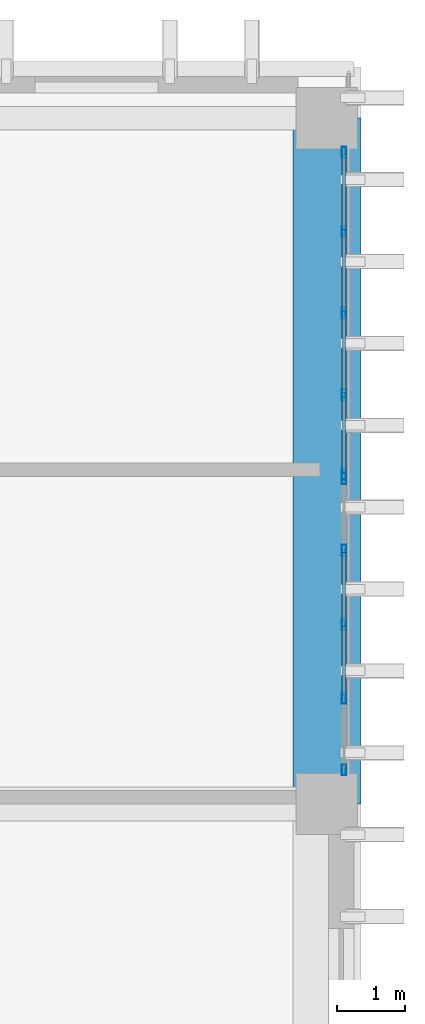
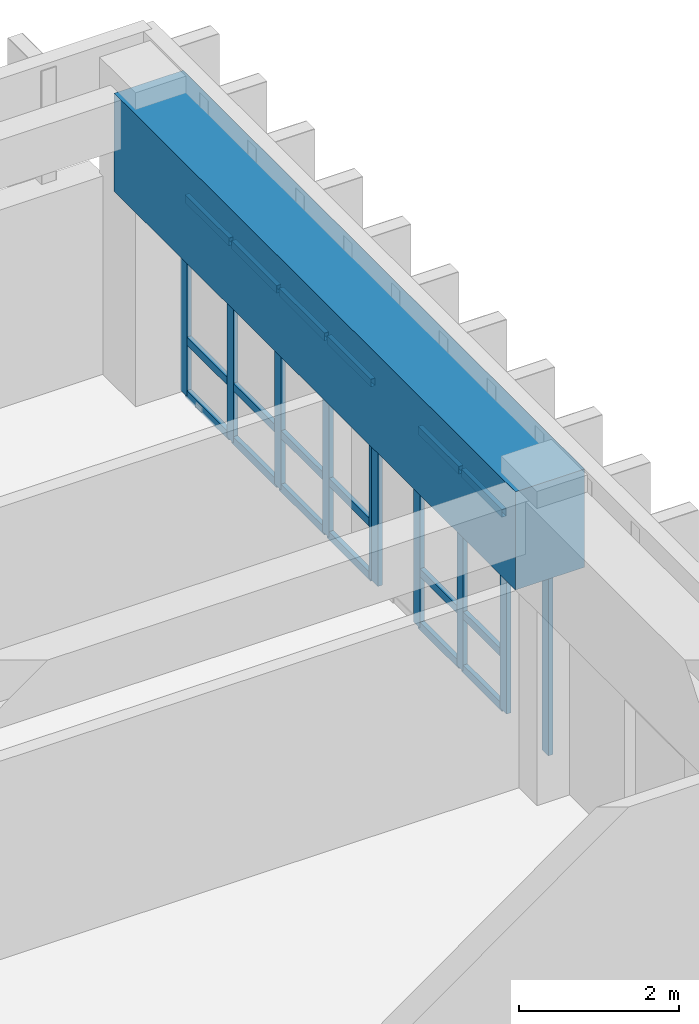
# One storey, part 60 of 101: 28 members, 1 beam, 2 elements without a shape of their own.
"""IFC4 building model written with IfcOpenShell, lengths in metres."""

from ifc_helpers import new_model, si_unit, direction, frame, origin, origin_2d, place, context, subcontext, project, spatial, rectangle, hollow_rectangle, extrude, material, layer, layer_set, material_profile, profile_set, type_object, element, aggregate, save


model = new_model("IFC4")

# Units and contexts
model_context = context("Model", 3, precision=1e-05, world=origin(), true_north=direction((0.0, 1.0)))
body_context = subcontext(model_context, "Body", "Model", "MODEL_VIEW")
ifc_project = project(units=[si_unit("LENGTHUNIT", "METRE"), si_unit("AREAUNIT", "SQUARE_METRE"), si_unit("VOLUMEUNIT", "CUBIC_METRE"), si_unit("PLANEANGLEUNIT", "RADIAN"), si_unit("MASSUNIT", "GRAM", prefix="KILO")], contexts=[model_context])

# Site, building, storey
site_placement = place(None, origin())
site = spatial("IfcSite", under=ifc_project, at=site_placement, CompositionType="ELEMENT")
building_placement = place(site_placement, origin())
building = spatial("IfcBuilding", under=site, at=building_placement, Name="Nakhvara Creek Congress Hotel", CompositionType="ELEMENT")
storey_placement = place(building_placement, frame((0.0, 0.0, 16.199951171875)))
storey = spatial("IfcBuildingStorey", under=building, at=storey_placement, Name="L03", CompositionType="ELEMENT", Elevation=16.199951171875)

# Beam
ifc_material_1 = material(Name="Concrete C50/60", Category="concrete")
ifc_material_profile_1 = material_profile(ifc_material_1, rectangle(XDim=1.0, YDim=1.5, at=origin_2d()), Name="RC-TG 1000x1500", Category="LoadBearing")
ifc_profile_set_1 = profile_set([ifc_material_profile_1], Name="Concrete C50/60")
beam_type = type_object("IfcBeamType", Name="BM-TG2-1500", PredefinedType="BEAM", material=ifc_profile_set_1)
beam_placement = place(storey_placement, frame((179.35009765625, 115.199951171875, 3.7900390625), z_axis=(0.0, 1.0, 0.0), x_axis=(-1.0, 0.0, 0.0)))
element("IfcBeam", 1, at=beam_placement, inside=storey, type_object=beam_type, Name="Transfer Girder TG2-L03-1908", PredefinedType="BEAM", context=body_context, shape_type="SweptSolid", body=[
    extrude(rectangle(XDim=1.0, YDim=1.5, at=origin_2d()), origin(), (0.0, 0.0, 1.0), 10.050048828125),
])

# Curtain wall, members
ifc_material_2 = material(Name="Bronze-anodised aluminium AW-6063-T6 and double-silver low-E glass", Category="aluminium")
ifc_layer = layer(ifc_material_2, 0.199951171875)
ifc_layer_set = layer_set([ifc_layer], Name="Bronze-anodised aluminium AW-6063-T6 and double-silver low-E glass")
curtain_wall_type = type_object("IfcCurtainWallType", Name="CW-HTL-UNIT", PredefinedType="USERDEFINED", material=ifc_layer_set)
curtain_wall_1_placement = place(storey_placement, origin())
curtain_wall_1 = element("IfcCurtainWall", 2, at=curtain_wall_1_placement, inside=storey, type_object=curtain_wall_type, Name="Curtain Wall CW169", ObjectType="UNITISED", PredefinedType="USERDEFINED")
ifc_material_3 = material(Name="Bronze-anodised aluminium AW-6063-T6", Category="aluminium")
ifc_material_profile_2 = material_profile(ifc_material_3, hollow_rectangle(XDim=0.06494140625, YDim=0.159912109375, WallThickness=0.00390625, at=origin_2d()), Name="ALU-MULL 65x160x4", Category="LoadBearing")
ifc_profile_set_2 = profile_set([ifc_material_profile_2], Name="Bronze-anodised aluminium AW-6063-T6")
member_type_1 = type_object("IfcMemberType", Name="CW-MULL-160", PredefinedType="MULLION", material=ifc_profile_set_2)
member_1_placement = place(storey_placement, frame((179.60009765625, 119.967529296875, 0.0), z_axis=(0.0, 0.0, 1.0), x_axis=(1.0, 0.0, 0.0)))
member_1 = element("IfcMember", 3, at=member_1_placement, type_object=member_type_1, Name="CW169 mullion 1", PredefinedType="MULLION", context=body_context, shape_type="SweptSolid", body=[
    extrude(hollow_rectangle(XDim=0.06494140625, YDim=0.159912109375, WallThickness=0.00390625, at=origin_2d()), origin(), (0.0, 0.0, 1.0), 3.031982421875),
])
member_2_placement = place(storey_placement, frame((179.60009765625, 118.916259765625, 0.0), z_axis=(0.0, 0.0, 1.0), x_axis=(1.0, 0.0, 0.0)))
member_2 = element("IfcMember", 4, at=member_2_placement, type_object=member_type_1, Name="CW169 mullion 2", PredefinedType="MULLION", context=body_context, shape_type="SweptSolid", body=[
    extrude(hollow_rectangle(XDim=0.06494140625, YDim=0.159912109375, WallThickness=0.00390625, at=origin_2d()), origin(), (0.0, 0.0, 1.0), 3.031982421875),
])
member_3_placement = place(storey_placement, frame((179.60009765625, 117.83251953125, 0.0), z_axis=(0.0, 0.0, 1.0), x_axis=(1.0, 0.0, 0.0)))
member_3 = element("IfcMember", 5, at=member_3_placement, type_object=member_type_1, Name="CW169 mullion 3", PredefinedType="MULLION", context=body_context, shape_type="SweptSolid", body=[
    extrude(hollow_rectangle(XDim=0.06494140625, YDim=0.159912109375, WallThickness=0.00390625, at=origin_2d()), origin(), (0.0, 0.0, 1.0), 3.031982421875),
])
member_4_placement = place(storey_placement, frame((179.60009765625, 116.748779296875, 0.0), z_axis=(0.0, 0.0, 1.0), x_axis=(1.0, 0.0, 0.0)))
member_4 = element("IfcMember", 6, at=member_4_placement, type_object=member_type_1, Name="CW169 mullion 4", PredefinedType="MULLION", context=body_context, shape_type="SweptSolid", body=[
    extrude(hollow_rectangle(XDim=0.06494140625, YDim=0.159912109375, WallThickness=0.00390625, at=origin_2d()), origin(), (0.0, 0.0, 1.0), 3.031982421875),
])
member_5_placement = place(storey_placement, frame((179.60009765625, 115.697509765625, 0.0), z_axis=(0.0, 0.0, 1.0), x_axis=(1.0, 0.0, 0.0)))
member_5 = element("IfcMember", 7, at=member_5_placement, type_object=member_type_1, Name="CW169 mullion 5", PredefinedType="MULLION", context=body_context, shape_type="SweptSolid", body=[
    extrude(hollow_rectangle(XDim=0.06494140625, YDim=0.159912109375, WallThickness=0.00390625, at=origin_2d()), origin(), (0.0, 0.0, 1.0), 3.031982421875),
])

curtain_wall_2_placement = place(storey_placement, origin())
curtain_wall_2 = element("IfcCurtainWall", 8, at=curtain_wall_2_placement, inside=storey, type_object=curtain_wall_type, Name="Curtain Wall CW171", ObjectType="UNITISED", PredefinedType="USERDEFINED")
member_6_placement = place(storey_placement, frame((179.60009765625, 124.75244140625, 0.0), z_axis=(0.0, 0.0, 1.0), x_axis=(1.0, 0.0, 0.0)))
member_6 = element("IfcMember", 9, at=member_6_placement, type_object=member_type_1, Name="CW171 mullion 1", PredefinedType="MULLION", context=body_context, shape_type="SweptSolid", body=[
    extrude(hollow_rectangle(XDim=0.06494140625, YDim=0.159912109375, WallThickness=0.00390625, at=origin_2d()), origin(), (0.0, 0.0, 1.0), 3.031982421875),
])
member_7_placement = place(storey_placement, frame((179.60009765625, 123.5888671875, 0.0), z_axis=(0.0, 0.0, 1.0), x_axis=(1.0, 0.0, 0.0)))
member_7 = element("IfcMember", 10, at=member_7_placement, type_object=member_type_1, Name="CW171 mullion 2", PredefinedType="MULLION", context=body_context, shape_type="SweptSolid", body=[
    extrude(hollow_rectangle(XDim=0.06494140625, YDim=0.159912109375, WallThickness=0.00390625, at=origin_2d()), origin(), (0.0, 0.0, 1.0), 3.031982421875),
])
member_8_placement = place(storey_placement, frame((179.60009765625, 122.392578125, 0.0), z_axis=(0.0, 0.0, 1.0), x_axis=(1.0, 0.0, 0.0)))
member_8 = element("IfcMember", 11, at=member_8_placement, type_object=member_type_1, Name="CW171 mullion 3", PredefinedType="MULLION", context=body_context, shape_type="SweptSolid", body=[
    extrude(hollow_rectangle(XDim=0.06494140625, YDim=0.159912109375, WallThickness=0.00390625, at=origin_2d()), origin(), (0.0, 0.0, 1.0), 3.031982421875),
])
member_9_placement = place(storey_placement, frame((179.60009765625, 121.1962890625, 0.0), z_axis=(0.0, 0.0, 1.0), x_axis=(1.0, 0.0, 0.0)))
member_9 = element("IfcMember", 12, at=member_9_placement, type_object=member_type_1, Name="CW171 mullion 4", PredefinedType="MULLION", context=body_context, shape_type="SweptSolid", body=[
    extrude(hollow_rectangle(XDim=0.06494140625, YDim=0.159912109375, WallThickness=0.00390625, at=origin_2d()), origin(), (0.0, 0.0, 1.0), 3.031982421875),
])
member_10_placement = place(storey_placement, frame((179.60009765625, 120.032470703125, 0.0), z_axis=(0.0, 0.0, 1.0), x_axis=(1.0, 0.0, 0.0)))
member_10 = element("IfcMember", 13, at=member_10_placement, type_object=member_type_1, Name="CW171 mullion 5", PredefinedType="MULLION", context=body_context, shape_type="SweptSolid", body=[
    extrude(hollow_rectangle(XDim=0.06494140625, YDim=0.159912109375, WallThickness=0.00390625, at=origin_2d()), origin(), (0.0, 0.0, 1.0), 3.031982421875),
])

# Member
ifc_material_profile_3 = material_profile(ifc_material_3, hollow_rectangle(XDim=0.06494140625, YDim=0.1201171875, WallThickness=0.00390625, at=origin_2d()), Name="ALU-TRAN 65x120x4", Category="LoadBearing")
ifc_profile_set_3 = profile_set([ifc_material_profile_3], Name="Bronze-anodised aluminium AW-6063-T6")
member_type_2 = type_object("IfcMemberType", Name="CW-TRAN-120", PredefinedType="USERDEFINED", material=ifc_profile_set_3)
member_11_placement = place(storey_placement, frame((179.60009765625, 118.8837890625, 0.032470703125), z_axis=(0.0, -1.0, 0.0), x_axis=(1.0, 0.0, 0.0)))
member_11 = element("IfcMember", 14, at=member_11_placement, type_object=member_type_2, Name="CW169 transom 2.1", ObjectType="TRANSOM", PredefinedType="USERDEFINED", context=body_context, shape_type="SweptSolid", body=[
    extrude(hollow_rectangle(XDim=0.06494140625, YDim=0.1201171875, WallThickness=0.00390625, at=origin_2d()), origin(), (0.0, 0.0, 1.0), 1.018798828125),
])

member_12_placement = place(storey_placement, frame((179.60009765625, 118.8837890625, 0.85009765625), z_axis=(0.0, -1.0, 0.0), x_axis=(1.0, 0.0, 0.0)))
member_12 = element("IfcMember", 15, at=member_12_placement, type_object=member_type_2, Name="CW169 transom 2.2", ObjectType="TRANSOM", PredefinedType="USERDEFINED", context=body_context, shape_type="SweptSolid", body=[
    extrude(hollow_rectangle(XDim=0.06494140625, YDim=0.1201171875, WallThickness=0.00390625, at=origin_2d()), origin(), (0.0, 0.0, 1.0), 1.018798828125),
])

member_13_placement = place(storey_placement, frame((179.60009765625, 118.8837890625, 2.99951171875), z_axis=(0.0, -1.0, 0.0), x_axis=(1.0, 0.0, 0.0)))
member_13 = element("IfcMember", 16, at=member_13_placement, type_object=member_type_2, Name="CW169 transom 2.3", ObjectType="TRANSOM", PredefinedType="USERDEFINED", context=body_context, shape_type="SweptSolid", body=[
    extrude(hollow_rectangle(XDim=0.06494140625, YDim=0.1201171875, WallThickness=0.00390625, at=origin_2d()), origin(), (0.0, 0.0, 1.0), 1.018798828125),
])

member_14_placement = place(storey_placement, frame((179.60009765625, 117.800048828125, 0.032470703125), z_axis=(0.0, -1.0, 0.0), x_axis=(1.0, 0.0, 0.0)))
member_14 = element("IfcMember", 17, at=member_14_placement, type_object=member_type_2, Name="CW169 transom 3.1", ObjectType="TRANSOM", PredefinedType="USERDEFINED", context=body_context, shape_type="SweptSolid", body=[
    extrude(hollow_rectangle(XDim=0.06494140625, YDim=0.1201171875, WallThickness=0.00390625, at=origin_2d()), origin(), (0.0, 0.0, 1.0), 1.018798828125),
])

member_15_placement = place(storey_placement, frame((179.60009765625, 117.800048828125, 0.85009765625), z_axis=(0.0, -1.0, 0.0), x_axis=(1.0, 0.0, 0.0)))
member_15 = element("IfcMember", 18, at=member_15_placement, type_object=member_type_2, Name="CW169 transom 3.2", ObjectType="TRANSOM", PredefinedType="USERDEFINED", context=body_context, shape_type="SweptSolid", body=[
    extrude(hollow_rectangle(XDim=0.06494140625, YDim=0.1201171875, WallThickness=0.00390625, at=origin_2d()), origin(), (0.0, 0.0, 1.0), 1.018798828125),
])

member_16_placement = place(storey_placement, frame((179.60009765625, 117.800048828125, 2.99951171875), z_axis=(0.0, -1.0, 0.0), x_axis=(1.0, 0.0, 0.0)))
member_16 = element("IfcMember", 19, at=member_16_placement, type_object=member_type_2, Name="CW169 transom 3.3", ObjectType="TRANSOM", PredefinedType="USERDEFINED", context=body_context, shape_type="SweptSolid", body=[
    extrude(hollow_rectangle(XDim=0.06494140625, YDim=0.1201171875, WallThickness=0.00390625, at=origin_2d()), origin(), (0.0, 0.0, 1.0), 1.018798828125),
])

aggregate(curtain_wall_1, [member_1, member_2, member_3, member_4, member_5, member_11, member_12, member_13, member_14, member_15, member_16])

member_17_placement = place(storey_placement, frame((179.60009765625, 124.719970703125, 0.032470703125), z_axis=(0.0, -1.0, 0.0), x_axis=(1.0, 0.0, 0.0)))
member_17 = element("IfcMember", 20, at=member_17_placement, type_object=member_type_2, Name="CW171 transom 1.1", ObjectType="TRANSOM", PredefinedType="USERDEFINED", context=body_context, shape_type="SweptSolid", body=[
    extrude(hollow_rectangle(XDim=0.06494140625, YDim=0.1201171875, WallThickness=0.00390625, at=origin_2d()), origin(), (0.0, 0.0, 1.0), 1.0986328125),
])

member_18_placement = place(storey_placement, frame((179.60009765625, 124.719970703125, 0.85009765625), z_axis=(0.0, -1.0, 0.0), x_axis=(1.0, 0.0, 0.0)))
member_18 = element("IfcMember", 21, at=member_18_placement, type_object=member_type_2, Name="CW171 transom 1.2", ObjectType="TRANSOM", PredefinedType="USERDEFINED", context=body_context, shape_type="SweptSolid", body=[
    extrude(hollow_rectangle(XDim=0.06494140625, YDim=0.1201171875, WallThickness=0.00390625, at=origin_2d()), origin(), (0.0, 0.0, 1.0), 1.0986328125),
])

member_19_placement = place(storey_placement, frame((179.60009765625, 124.719970703125, 2.99951171875), z_axis=(0.0, -1.0, 0.0), x_axis=(1.0, 0.0, 0.0)))
member_19 = element("IfcMember", 22, at=member_19_placement, type_object=member_type_2, Name="CW171 transom 1.3", ObjectType="TRANSOM", PredefinedType="USERDEFINED", context=body_context, shape_type="SweptSolid", body=[
    extrude(hollow_rectangle(XDim=0.06494140625, YDim=0.1201171875, WallThickness=0.00390625, at=origin_2d()), origin(), (0.0, 0.0, 1.0), 1.0986328125),
])

member_20_placement = place(storey_placement, frame((179.60009765625, 123.55615234375, 0.032470703125), z_axis=(0.0, -1.0, 0.0), x_axis=(1.0, 0.0, 0.0)))
member_20 = element("IfcMember", 23, at=member_20_placement, type_object=member_type_2, Name="CW171 transom 2.1", ObjectType="TRANSOM", PredefinedType="USERDEFINED", context=body_context, shape_type="SweptSolid", body=[
    extrude(hollow_rectangle(XDim=0.06494140625, YDim=0.1201171875, WallThickness=0.00390625, at=origin_2d()), origin(), (0.0, 0.0, 1.0), 1.131103515625),
])

member_21_placement = place(storey_placement, frame((179.60009765625, 123.55615234375, 0.85009765625), z_axis=(0.0, -1.0, 0.0), x_axis=(1.0, 0.0, 0.0)))
member_21 = element("IfcMember", 24, at=member_21_placement, type_object=member_type_2, Name="CW171 transom 2.2", ObjectType="TRANSOM", PredefinedType="USERDEFINED", context=body_context, shape_type="SweptSolid", body=[
    extrude(hollow_rectangle(XDim=0.06494140625, YDim=0.1201171875, WallThickness=0.00390625, at=origin_2d()), origin(), (0.0, 0.0, 1.0), 1.131103515625),
])

member_22_placement = place(storey_placement, frame((179.60009765625, 123.55615234375, 2.99951171875), z_axis=(0.0, -1.0, 0.0), x_axis=(1.0, 0.0, 0.0)))
member_22 = element("IfcMember", 25, at=member_22_placement, type_object=member_type_2, Name="CW171 transom 2.3", ObjectType="TRANSOM", PredefinedType="USERDEFINED", context=body_context, shape_type="SweptSolid", body=[
    extrude(hollow_rectangle(XDim=0.06494140625, YDim=0.1201171875, WallThickness=0.00390625, at=origin_2d()), origin(), (0.0, 0.0, 1.0), 1.131103515625),
])

member_23_placement = place(storey_placement, frame((179.60009765625, 122.360107421875, 0.032470703125), z_axis=(0.0, -1.0, 0.0), x_axis=(1.0, 0.0, 0.0)))
member_23 = element("IfcMember", 26, at=member_23_placement, type_object=member_type_2, Name="CW171 transom 3.1", ObjectType="TRANSOM", PredefinedType="USERDEFINED", context=body_context, shape_type="SweptSolid", body=[
    extrude(hollow_rectangle(XDim=0.06494140625, YDim=0.1201171875, WallThickness=0.00390625, at=origin_2d()), origin(), (0.0, 0.0, 1.0), 1.13134765625),
])

member_24_placement = place(storey_placement, frame((179.60009765625, 122.360107421875, 0.85009765625), z_axis=(0.0, -1.0, 0.0), x_axis=(1.0, 0.0, 0.0)))
member_24 = element("IfcMember", 27, at=member_24_placement, type_object=member_type_2, Name="CW171 transom 3.2", ObjectType="TRANSOM", PredefinedType="USERDEFINED", context=body_context, shape_type="SweptSolid", body=[
    extrude(hollow_rectangle(XDim=0.06494140625, YDim=0.1201171875, WallThickness=0.00390625, at=origin_2d()), origin(), (0.0, 0.0, 1.0), 1.13134765625),
])

member_25_placement = place(storey_placement, frame((179.60009765625, 122.360107421875, 2.99951171875), z_axis=(0.0, -1.0, 0.0), x_axis=(1.0, 0.0, 0.0)))
member_25 = element("IfcMember", 28, at=member_25_placement, type_object=member_type_2, Name="CW171 transom 3.3", ObjectType="TRANSOM", PredefinedType="USERDEFINED", context=body_context, shape_type="SweptSolid", body=[
    extrude(hollow_rectangle(XDim=0.06494140625, YDim=0.1201171875, WallThickness=0.00390625, at=origin_2d()), origin(), (0.0, 0.0, 1.0), 1.13134765625),
])

member_26_placement = place(storey_placement, frame((179.60009765625, 121.163818359375, 0.032470703125), z_axis=(0.0, -1.0, 0.0), x_axis=(1.0, 0.0, 0.0)))
member_26 = element("IfcMember", 29, at=member_26_placement, type_object=member_type_2, Name="CW171 transom 4.1", ObjectType="TRANSOM", PredefinedType="USERDEFINED", context=body_context, shape_type="SweptSolid", body=[
    extrude(hollow_rectangle(XDim=0.06494140625, YDim=0.1201171875, WallThickness=0.00390625, at=origin_2d()), origin(), (0.0, 0.0, 1.0), 1.098876953125),
])

member_27_placement = place(storey_placement, frame((179.60009765625, 121.163818359375, 0.85009765625), z_axis=(0.0, -1.0, 0.0), x_axis=(1.0, 0.0, 0.0)))
member_27 = element("IfcMember", 30, at=member_27_placement, type_object=member_type_2, Name="CW171 transom 4.2", ObjectType="TRANSOM", PredefinedType="USERDEFINED", context=body_context, shape_type="SweptSolid", body=[
    extrude(hollow_rectangle(XDim=0.06494140625, YDim=0.1201171875, WallThickness=0.00390625, at=origin_2d()), origin(), (0.0, 0.0, 1.0), 1.098876953125),
])

member_28_placement = place(storey_placement, frame((179.60009765625, 121.163818359375, 2.99951171875), z_axis=(0.0, -1.0, 0.0), x_axis=(1.0, 0.0, 0.0)))
member_28 = element("IfcMember", 31, at=member_28_placement, type_object=member_type_2, Name="CW171 transom 4.3", ObjectType="TRANSOM", PredefinedType="USERDEFINED", context=body_context, shape_type="SweptSolid", body=[
    extrude(hollow_rectangle(XDim=0.06494140625, YDim=0.1201171875, WallThickness=0.00390625, at=origin_2d()), origin(), (0.0, 0.0, 1.0), 1.098876953125),
])

aggregate(curtain_wall_2, [member_6, member_7, member_8, member_9, member_10, member_17, member_18, member_19, member_20, member_21, member_22, member_23, member_24, member_25, member_26, member_27, member_28])

save(model, "model.ifc")
